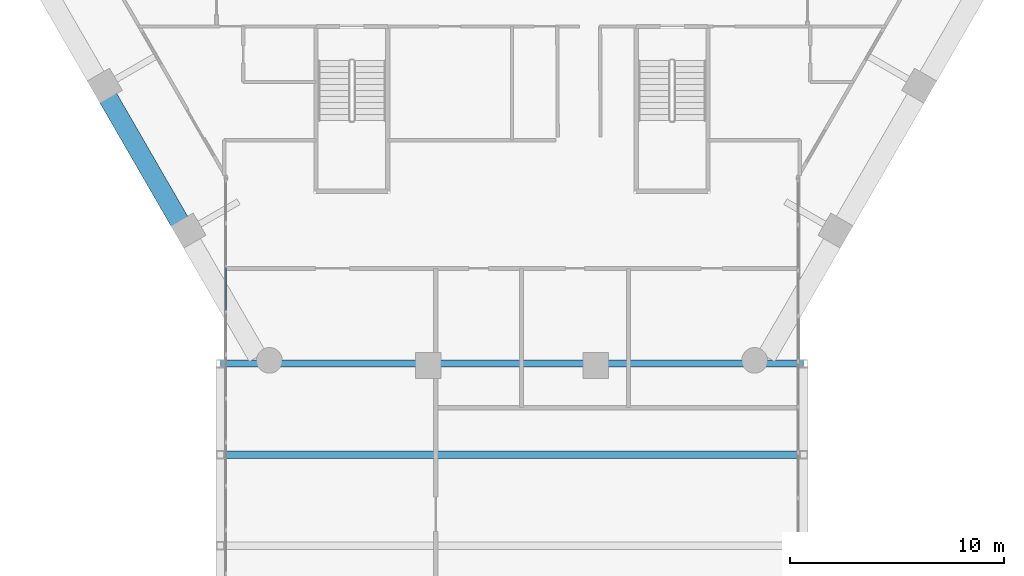
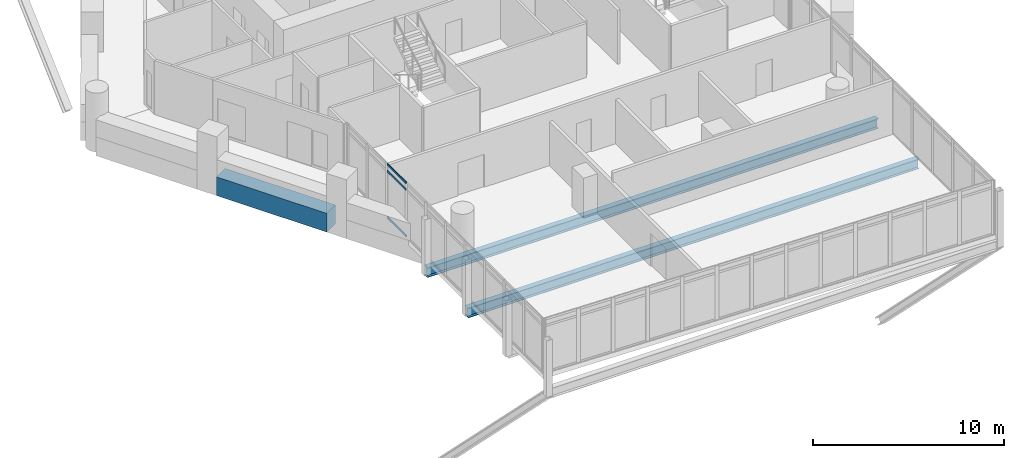
# One storey, part 10 of 37: 3 beams, 3 members, 1 element without a shape of its own.
"""IFC4 building model written with IfcOpenShell, lengths in metres."""

from ifc_helpers import new_model, si_unit, direction, frame, origin, origin_2d, place, context, subcontext, project, spatial, rectangle, hollow_rectangle, i_section, extrude, material, material_profile, profile_set, type_object, element, aggregate, save


model = new_model("IFC4")

# Units and contexts
model_context = context("Model", 3, precision=1e-05, world=origin(), true_north=direction((0.0, 1.0)))
body_context = subcontext(model_context, "Body", "Model", "MODEL_VIEW")
ifc_project = project(units=[si_unit("LENGTHUNIT", "METRE"), si_unit("AREAUNIT", "SQUARE_METRE"), si_unit("VOLUMEUNIT", "CUBIC_METRE"), si_unit("PLANEANGLEUNIT", "RADIAN"), si_unit("MASSUNIT", "GRAM", prefix="KILO")], contexts=[model_context])

# Site, building, storey
site_placement = place(None, origin())
site = spatial("IfcSite", under=ifc_project, at=site_placement, CompositionType="ELEMENT")
building_placement = place(site_placement, origin())
building = spatial("IfcBuilding", under=site, at=building_placement, Name="Ostrander Bayou Hotel Tower", CompositionType="ELEMENT")
storey_placement = place(building_placement, frame((0.0, 0.0, 93.0)))
storey = spatial("IfcBuildingStorey", under=building, at=storey_placement, Name="L23", CompositionType="ELEMENT", Elevation=93.0)

# Curtain wall, members
ifc_material_1 = material(Name="Aluminium and clear glass", Category="aluminium")
curtain_wall_type = type_object("IfcCurtainWallType", Name="CW-BAR glazed wall", PredefinedType="NOTDEFINED", material=ifc_material_1)
curtain_wall_placement = place(storey_placement, origin())
curtain_wall = element("IfcCurtainWall", 1, at=curtain_wall_placement, inside=storey, type_object=curtain_wall_type, Name="CW-BAR L23:SB2S:E", PredefinedType="NOTDEFINED")
ifc_material_2 = material(Name="Aluminium", Category="aluminium")
ifc_material_profile_1 = material_profile(ifc_material_2, hollow_rectangle(XDim=0.06005859375, YDim=0.1298828125, WallThickness=0.00390625, at=origin_2d()))
ifc_profile_set_1 = profile_set([ifc_material_profile_1], Name="Aluminium")
member_type = type_object("IfcMemberType", Name="CW-BR transom 60 x 130 mm", PredefinedType="USERDEFINED", material=ifc_profile_set_1)
member_1_placement = place(storey_placement, frame((-13.3671875, -14.96826171875, 0.030029296875), z_axis=(0.0, -1.0, 0.0), x_axis=(1.0, 0.0, 0.0)))
member_1 = element("IfcMember", 2, at=member_1_placement, type_object=member_type, Name="CW-BAR transom 3.1", ObjectType="TRANSOM", PredefinedType="USERDEFINED", context=body_context, shape_type="SweptSolid", body=[
    extrude(hollow_rectangle(XDim=0.06005859375, YDim=0.1298828125, WallThickness=0.00390625, at=origin_2d()), origin(), (0.0, 0.0, 1.0), 1.985595703125),
])
member_2_placement = place(storey_placement, frame((-13.3671875, -14.96826171875, 3.0), z_axis=(0.0, -1.0, 0.0), x_axis=(1.0, 0.0, 0.0)))
member_2 = element("IfcMember", 3, at=member_2_placement, type_object=member_type, Name="CW-BAR transom 3.2", ObjectType="TRANSOM", PredefinedType="USERDEFINED", context=body_context, shape_type="SweptSolid", body=[
    extrude(hollow_rectangle(XDim=0.06005859375, YDim=0.1298828125, WallThickness=0.00390625, at=origin_2d()), origin(), (0.0, 0.0, 1.0), 1.985595703125),
])
member_3_placement = place(storey_placement, frame((-13.3671875, -14.96826171875, 3.419921875), z_axis=(0.0, -1.0, 0.0), x_axis=(1.0, 0.0, 0.0)))
member_3 = element("IfcMember", 4, at=member_3_placement, type_object=member_type, Name="CW-BAR transom 3.3", ObjectType="TRANSOM", PredefinedType="USERDEFINED", context=body_context, shape_type="SweptSolid", body=[
    extrude(hollow_rectangle(XDim=0.06005859375, YDim=0.1298828125, WallThickness=0.00390625, at=origin_2d()), origin(), (0.0, 0.0, 1.0), 1.985595703125),
])
aggregate(curtain_wall, [member_1, member_2, member_3])

# Beams
ifc_material_3 = material(Name="Concrete f'c 70 MPa", Category="concrete")
ifc_material_profile_2 = material_profile(ifc_material_3, rectangle(XDim=0.89990234375, YDim=1.199951171875, at=origin_2d()))
ifc_profile_set_2 = profile_set([ifc_material_profile_2], Name="Concrete f'c 70 MPa")
beam_type_1 = type_object("IfcBeamType", Name="SP2 spandrel beam 900 x 1200 mm f'c 70 MPa", PredefinedType="SPANDREL", material=ifc_profile_set_2)
beam_placement = place(storey_placement, frame((-18.85888671875, -7.035400390625, -0.60009765625), z_axis=(0.499999023957, -0.866025967302, 0.0), x_axis=(0.866025967302, 0.499999023957, 0.0)))
element("IfcBeam", 5, at=beam_placement, inside=storey, type_object=beam_type_1, Name="SP2 L23 SW-2", PredefinedType="SPANDREL", context=body_context, shape_type="SweptSolid", body=[
    extrude(rectangle(XDim=0.89990234375, YDim=1.199951171875, at=origin_2d()), origin(), (0.0, 0.0, 1.0), 6.67333984375),
])
ifc_material_4 = material(Name="Steel ASTM A992", Category="steel")
ifc_material_profile_3 = material_profile(ifc_material_4, i_section(OverallWidth=0.32763671875, OverallDepth=0.621826171875, WebThickness=0.015380859375, FlangeThickness=0.0244140625, at=origin_2d()))
ifc_profile_set_3 = profile_set([ifc_material_profile_3], Name="Steel ASTM A992")
beam_type_2 = type_object("IfcBeamType", Name="TF1 bar floor beam W24x131", PredefinedType="BEAM", material=ifc_profile_set_3)
for number, where, z_axis, x_axis, name in (
    (6, (-13.6201171875, -19.450927734375, -0.61083984375), (1.0, 0.0, 0.0), (0.0, 1.0, 0.0), "TF1 SB2S L1-1"),
    (7, (-13.6201171875, -23.70068359375, -0.61083984375), (1.0, 0.0, 0.0), (0.0, 1.0, 0.0), "TF1 SB2S L1-2"),
):
    element("IfcBeam", number, at=place(storey_placement, frame(where, z_axis=z_axis, x_axis=x_axis)), inside=storey, type_object=beam_type_2, Name=name, PredefinedType="BEAM", context=body_context, shape_type="SweptSolid", body=[
        extrude(i_section(OverallWidth=0.32763671875, OverallDepth=0.621826171875, WebThickness=0.015380859375, FlangeThickness=0.0244140625, at=origin_2d()), origin(), (0.0, 0.0, 1.0), 27.240234375),
    ])

save(model, "model.ifc")
